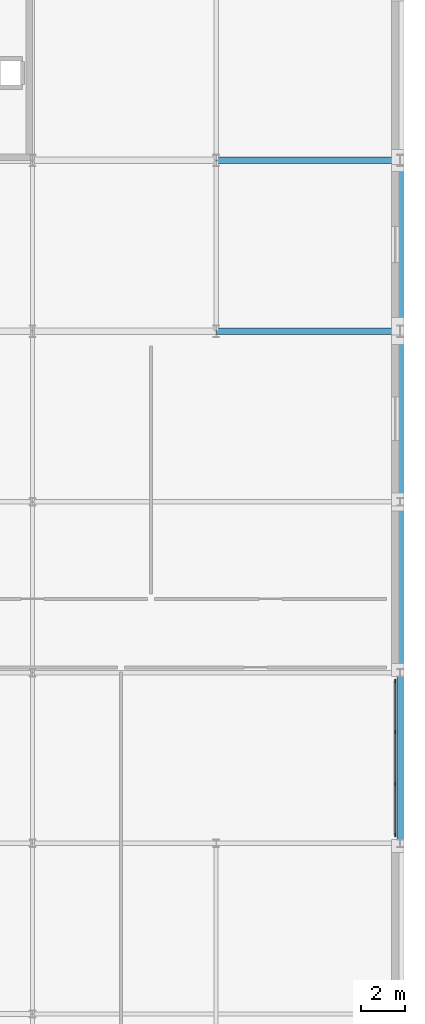
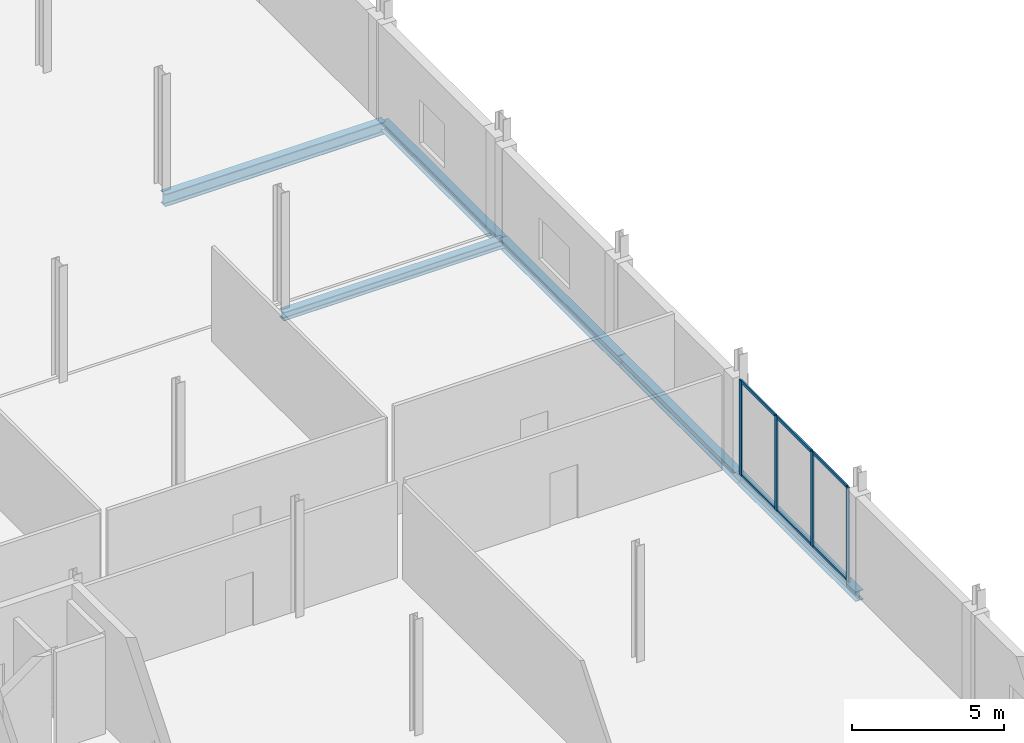
# One storey, part 52 of 98: 10 members, 6 beams, 1 element without a shape of its own.
"""IFC4 building model written with IfcOpenShell, lengths in metres."""

from ifc_helpers import new_model, si_unit, direction, frame, origin, origin_2d, place, context, subcontext, project, spatial, rectangle, i_section, extrude, material, material_profile, profile_set, type_object, element, aggregate, save


model = new_model("IFC4")

# Units and contexts
model_context = context("Model", 3, precision=1e-05, world=origin(), true_north=direction((0.0, 1.0)))
body_context = subcontext(model_context, "Body", "Model", "MODEL_VIEW")
ifc_project = project(units=[si_unit("LENGTHUNIT", "METRE"), si_unit("AREAUNIT", "SQUARE_METRE"), si_unit("VOLUMEUNIT", "CUBIC_METRE"), si_unit("PLANEANGLEUNIT", "RADIAN"), si_unit("MASSUNIT", "GRAM", prefix="KILO")], contexts=[model_context])

# Site, building, storey
site_placement = place(None, origin())
site = spatial("IfcSite", under=ifc_project, at=site_placement, CompositionType="ELEMENT")
building_placement = place(site_placement, origin())
building = spatial("IfcBuilding", under=site, at=building_placement, Name="Nabrawat Pavilion Hospital", CompositionType="ELEMENT")
storey_placement = place(building_placement, frame((0.0, 0.0, 10.199951171875)))
storey = spatial("IfcBuildingStorey", under=building, at=storey_placement, Name="L02", CompositionType="ELEMENT", Elevation=10.199951171875)

# Curtain wall, members
ifc_material_1 = material(Name="Anodised Aluminium", Category="aluminium")
curtain_wall_type = type_object("IfcCurtainWallType", Name="Outpatient Boulevard Curtain Wall", PredefinedType="USERDEFINED", material=ifc_material_1)
curtain_wall_placement = place(storey_placement, origin())
curtain_wall = element("IfcCurtainWall", 1, at=curtain_wall_placement, inside=storey, type_object=curtain_wall_type, Name="L02 Outpatient Boulevard Curtain Wall 138", ObjectType="CURTAIN WALL", PredefinedType="USERDEFINED")
ifc_material_profile_1 = material_profile(ifc_material_1, rectangle(XDim=0.06005859375, YDim=0.159912109375, at=origin_2d()), Name="CWM 60x160")
ifc_profile_set_1 = profile_set([ifc_material_profile_1], Name="Anodised Aluminium")
member_type_1 = type_object("IfcMemberType", Name="Outpatient Boulevard Curtain Wall Mullion CWM 60x160", PredefinedType="MULLION", material=ifc_profile_set_1)
member_1_placement = place(storey_placement, frame((192.97998046875, 15.97998046875, 0.0), z_axis=(0.0, 0.0, 1.0), x_axis=(-1.0, 0.0, 0.0)))
member_1 = element("IfcMember", 2, at=member_1_placement, type_object=member_type_1, Name="CW-OPC-01 mullion 1", PredefinedType="MULLION", context=body_context, shape_type="SweptSolid", body=[
    extrude(rectangle(XDim=0.06005859375, YDim=0.159912109375, at=origin_2d()), origin(), (0.0, 0.0, 1.0), 3.800048828125),
])
member_2_placement = place(storey_placement, frame((192.97998046875, 18.316650390625, 0.0), z_axis=(0.0, 0.0, 1.0), x_axis=(-1.0, 0.0, 0.0)))
member_2 = element("IfcMember", 3, at=member_2_placement, type_object=member_type_1, Name="CW-OPC-01 mullion 2", PredefinedType="MULLION", context=body_context, shape_type="SweptSolid", body=[
    extrude(rectangle(XDim=0.06005859375, YDim=0.159912109375, at=origin_2d()), origin(), (0.0, 0.0, 1.0), 3.800048828125),
])
member_3_placement = place(storey_placement, frame((192.97998046875, 20.683349609375, 0.0), z_axis=(0.0, 0.0, 1.0), x_axis=(-1.0, 0.0, 0.0)))
member_3 = element("IfcMember", 4, at=member_3_placement, type_object=member_type_1, Name="CW-OPC-01 mullion 3", PredefinedType="MULLION", context=body_context, shape_type="SweptSolid", body=[
    extrude(rectangle(XDim=0.06005859375, YDim=0.159912109375, at=origin_2d()), origin(), (0.0, 0.0, 1.0), 3.800048828125),
])
member_4_placement = place(storey_placement, frame((192.97998046875, 23.02001953125, 0.0), z_axis=(0.0, 0.0, 1.0), x_axis=(-1.0, 0.0, 0.0)))
member_4 = element("IfcMember", 5, at=member_4_placement, type_object=member_type_1, Name="CW-OPC-01 mullion 4", PredefinedType="MULLION", context=body_context, shape_type="SweptSolid", body=[
    extrude(rectangle(XDim=0.06005859375, YDim=0.159912109375, at=origin_2d()), origin(), (0.0, 0.0, 1.0), 3.800048828125),
])
ifc_material_profile_2 = material_profile(ifc_material_1, rectangle(XDim=0.06005859375, YDim=0.1201171875, at=origin_2d()), Name="CWT 60x120")
ifc_profile_set_2 = profile_set([ifc_material_profile_2], Name="Anodised Aluminium")
member_type_2 = type_object("IfcMemberType", Name="Outpatient Boulevard Curtain Wall Transom CWT 60x120", PredefinedType="USERDEFINED", material=ifc_profile_set_2)
member_5_placement = place(storey_placement, frame((192.97998046875, 16.010009765625, 0.030029296875), z_axis=(0.0, 1.0, 0.0), x_axis=(-1.0, 0.0, 0.0)))
member_5 = element("IfcMember", 6, at=member_5_placement, type_object=member_type_2, Name="CW-OPC-01 transom 1.1", ObjectType="TRANSOM", PredefinedType="USERDEFINED", context=body_context, shape_type="SweptSolid", body=[
    extrude(rectangle(XDim=0.06005859375, YDim=0.1201171875, at=origin_2d()), origin(), (0.0, 0.0, 1.0), 2.276611328125),
])
member_6_placement = place(storey_placement, frame((192.97998046875, 16.010009765625, 3.77001953125), z_axis=(0.0, 1.0, 0.0), x_axis=(-1.0, 0.0, 0.0)))
member_6 = element("IfcMember", 7, at=member_6_placement, type_object=member_type_2, Name="CW-OPC-01 transom 1.2", ObjectType="TRANSOM", PredefinedType="USERDEFINED", context=body_context, shape_type="SweptSolid", body=[
    extrude(rectangle(XDim=0.06005859375, YDim=0.1201171875, at=origin_2d()), origin(), (0.0, 0.0, 1.0), 2.276611328125),
])
member_7_placement = place(storey_placement, frame((192.97998046875, 18.3466796875, 0.030029296875), z_axis=(0.0, 1.0, 0.0), x_axis=(-1.0, 0.0, 0.0)))
member_7 = element("IfcMember", 8, at=member_7_placement, type_object=member_type_2, Name="CW-OPC-01 transom 2.1", ObjectType="TRANSOM", PredefinedType="USERDEFINED", context=body_context, shape_type="SweptSolid", body=[
    extrude(rectangle(XDim=0.06005859375, YDim=0.1201171875, at=origin_2d()), origin(), (0.0, 0.0, 1.0), 2.306640625),
])
member_8_placement = place(storey_placement, frame((192.97998046875, 18.3466796875, 3.77001953125), z_axis=(0.0, 1.0, 0.0), x_axis=(-1.0, 0.0, 0.0)))
member_8 = element("IfcMember", 9, at=member_8_placement, type_object=member_type_2, Name="CW-OPC-01 transom 2.2", ObjectType="TRANSOM", PredefinedType="USERDEFINED", context=body_context, shape_type="SweptSolid", body=[
    extrude(rectangle(XDim=0.06005859375, YDim=0.1201171875, at=origin_2d()), origin(), (0.0, 0.0, 1.0), 2.306640625),
])
member_9_placement = place(storey_placement, frame((192.97998046875, 20.71337890625, 0.030029296875), z_axis=(0.0, 1.0, 0.0), x_axis=(-1.0, 0.0, 0.0)))
member_9 = element("IfcMember", 10, at=member_9_placement, type_object=member_type_2, Name="CW-OPC-01 transom 3.1", ObjectType="TRANSOM", PredefinedType="USERDEFINED", context=body_context, shape_type="SweptSolid", body=[
    extrude(rectangle(XDim=0.06005859375, YDim=0.1201171875, at=origin_2d()), origin(), (0.0, 0.0, 1.0), 2.276611328125),
])
member_10_placement = place(storey_placement, frame((192.97998046875, 20.71337890625, 3.77001953125), z_axis=(0.0, 1.0, 0.0), x_axis=(-1.0, 0.0, 0.0)))
member_10 = element("IfcMember", 11, at=member_10_placement, type_object=member_type_2, Name="CW-OPC-01 transom 3.2", ObjectType="TRANSOM", PredefinedType="USERDEFINED", context=body_context, shape_type="SweptSolid", body=[
    extrude(rectangle(XDim=0.06005859375, YDim=0.1201171875, at=origin_2d()), origin(), (0.0, 0.0, 1.0), 2.276611328125),
])
aggregate(curtain_wall, [member_1, member_2, member_3, member_4, member_5, member_6, member_7, member_8, member_9, member_10])

# Beams
ifc_material_2 = material(Name="Steel S355", Category="steel")
ifc_material_profile_3 = material_profile(ifc_material_2, i_section(OverallWidth=0.300048828125, OverallDepth=0.389892578125, WebThickness=0.010986328125, FlangeThickness=0.01904296875, FilletRadius=0.027099609375, at=origin_2d()), Name="HEA 400")
ifc_profile_set_3 = profile_set([ifc_material_profile_3], Name="Steel S355")
beam_type_1 = type_object("IfcBeamType", Name="Perimeter Moment Spandrel Beam HEA 400", PredefinedType="SPANDREL", material=ifc_profile_set_3)
beam_1_placement = place(storey_placement, frame((193.199951171875, 15.6201171875, -0.425048828125), z_axis=(0.0, 1.0, 0.0), x_axis=(-1.0, 0.0, 0.0)))
element("IfcBeam", 12, at=beam_1_placement, inside=storey, type_object=beam_type_1, Name="L02 Primary Y Beam 1391", PredefinedType="SPANDREL", context=body_context, shape_type="SweptSolid", body=[
    extrude(i_section(OverallWidth=0.300048828125, OverallDepth=0.389892578125, WebThickness=0.010986328125, FlangeThickness=0.01904296875, FilletRadius=0.027099609375, at=origin_2d()), origin(), (0.0, 0.0, 1.0), 7.759765625),
])
for number, where, z_axis, x_axis, name in (
    (13, (193.199951171875, 23.419921875, -0.425048828125), (0.0, 1.0, 0.0), (-1.0, 0.0, 0.0), "L02 Primary Y Beam 1392"),
    (14, (193.199951171875, 31.219970703125, -0.425048828125), (0.0, 1.0, 0.0), (-1.0, 0.0, 0.0), "L02 Primary Y Beam 1393"),
    (15, (193.199951171875, 39.02001953125, -0.445068359375), (0.0, 1.0, 0.0), (-1.0, 0.0, 0.0), "L02 Primary Y Beam 1394"),
):
    element("IfcBeam", number, at=place(storey_placement, frame(where, z_axis=z_axis, x_axis=x_axis)), inside=storey, type_object=beam_type_1, Name=name, PredefinedType="SPANDREL", context=body_context, shape_type="SweptSolid", body=[
        extrude(i_section(OverallWidth=0.300048828125, OverallDepth=0.389892578125, WebThickness=0.010986328125, FlangeThickness=0.01904296875, FilletRadius=0.027099609375, at=origin_2d()), origin(), (0.0, 0.0, 1.0), 7.760009765625),
    ])
ifc_material_profile_4 = material_profile(ifc_material_2, i_section(OverallWidth=0.300048828125, OverallDepth=0.5, WebThickness=0.014404296875, FlangeThickness=0.028076171875, FilletRadius=0.027099609375, at=origin_2d()), Name="HEB 500")
ifc_profile_set_4 = profile_set([ifc_material_profile_4], Name="Steel S355")
beam_type_2 = type_object("IfcBeamType", Name="Primary Floor Girder HEB 500", PredefinedType="USERDEFINED", material=ifc_profile_set_4)
beam_2_placement = place(storey_placement, frame((184.820068359375, 46.800048828125, -0.5), z_axis=(1.0, 0.0, 0.0), x_axis=(0.0, 1.0, 0.0)))
element("IfcBeam", 16, at=beam_2_placement, inside=storey, type_object=beam_type_2, Name="L02 Primary X Girder 1025", ObjectType="GIRDER", PredefinedType="USERDEFINED", context=body_context, shape_type="SweptSolid", body=[
    extrude(i_section(OverallWidth=0.300048828125, OverallDepth=0.5, WebThickness=0.014404296875, FlangeThickness=0.028076171875, FilletRadius=0.027099609375, at=origin_2d()), origin(), (0.0, 0.0, 1.0), 8.35986328125),
])
ifc_material_profile_5 = material_profile(ifc_material_2, i_section(OverallWidth=0.300048828125, OverallDepth=0.340087890625, WebThickness=0.011962890625, FlangeThickness=0.021484375, FilletRadius=0.027099609375, at=origin_2d()), Name="HEB 340")
ifc_profile_set_5 = profile_set([ifc_material_profile_5], Name="Steel S355")
beam_type_3 = type_object("IfcBeamType", Name="Ward Perimeter Spandrel Beam HEB 340", PredefinedType="SPANDREL", material=ifc_profile_set_5)
beam_3_placement = place(storey_placement, frame((184.820068359375, 39.0, -0.419921875), z_axis=(1.0, 0.0, 0.0), x_axis=(0.0, 1.0, 0.0)))
element("IfcBeam", 17, at=beam_3_placement, inside=storey, type_object=beam_type_3, Name="L02 Primary X Girder 1013", PredefinedType="SPANDREL", context=body_context, shape_type="SweptSolid", body=[
    extrude(i_section(OverallWidth=0.300048828125, OverallDepth=0.340087890625, WebThickness=0.011962890625, FlangeThickness=0.021484375, FilletRadius=0.027099609375, at=origin_2d()), origin(), (0.0, 0.0, 1.0), 8.35986328125),
])

save(model, "model.ifc")
